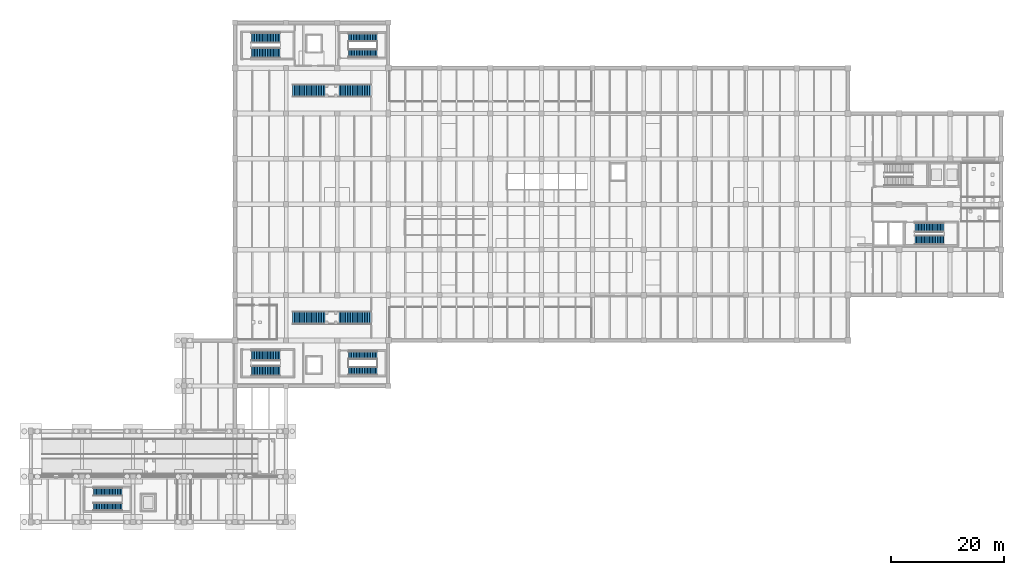
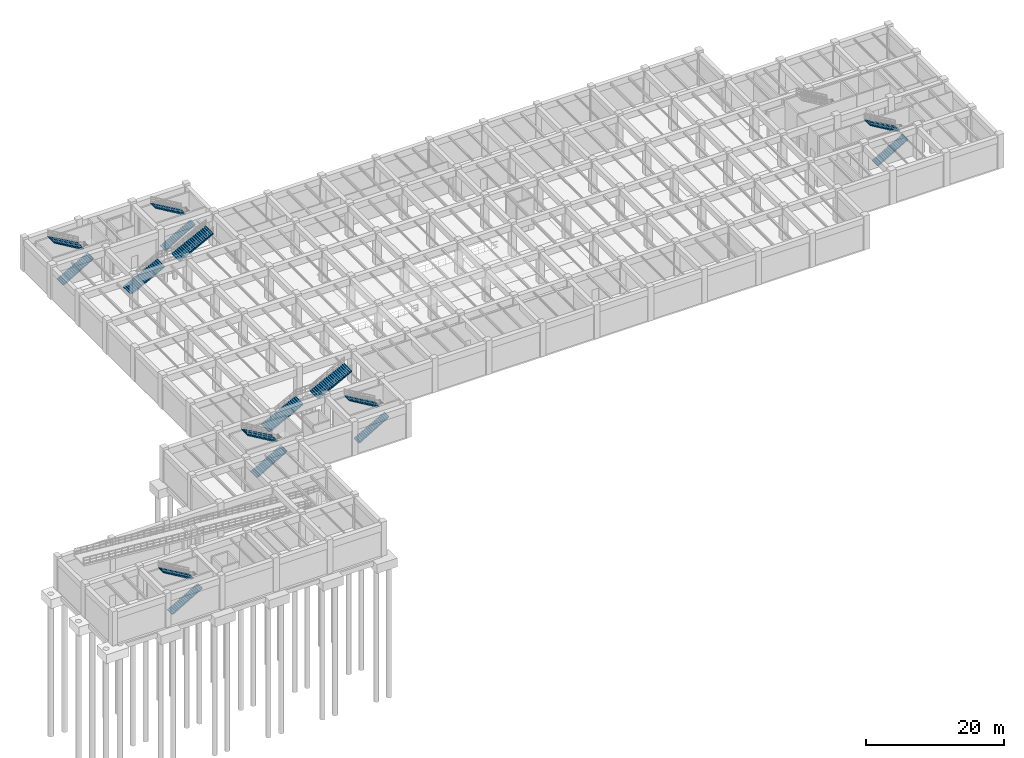
# One storey, part 13 of 20: 16 stair flights, 8 elements without a shape of their own.
"""IFC4 building model written with IfcOpenShell, lengths in metres."""

from ifc_helpers import new_model, si_unit, derived_unit, direction, frame, origin, place, context, subcontext, project, spatial, polyline, outline, extrude, material, type_object, element, aggregate, save


model = new_model("IFC4")

# Units and contexts
model_context = context("Model", 3, precision=1e-05, world=origin(), true_north=direction((0.0, 1.0)))
body_context = subcontext(model_context, "Body", "Model", "MODEL_VIEW")
ifc_project = project(units=[si_unit("LENGTHUNIT", "METRE"), si_unit("AREAUNIT", "SQUARE_METRE"), si_unit("VOLUMEUNIT", "CUBIC_METRE"), si_unit("PLANEANGLEUNIT", "RADIAN"), si_unit("MASSUNIT", "GRAM", prefix="KILO"), derived_unit("THERMALTRANSMITTANCEUNIT", [(si_unit("MASSUNIT", "GRAM", prefix="KILO"), 1), (si_unit("TIMEUNIT", "SECOND"), -3), (si_unit("THERMODYNAMICTEMPERATUREUNIT", "KELVIN"), -1)])], contexts=[model_context])

# Site, building, storey
site_placement = place(None, origin())
site = spatial("IfcSite", under=ifc_project, at=site_placement, CompositionType="ELEMENT")
building_placement = place(site_placement, origin())
building = spatial("IfcBuilding", under=site, at=building_placement, Name="Zhenchuan Archway Interchange", CompositionType="ELEMENT")
storey_placement = place(building_placement, frame((0.0, 0.0, -6.0)))
storey = spatial("IfcBuildingStorey", under=building, at=storey_placement, Name="B1", CompositionType="ELEMENT", Elevation=-6.0)

# Stair, stair flights
ifc_material = material(Name="Concrete C35", Category="concrete")
stair_type_1 = type_object("IfcStairType", Name="STR_HALF_1400", PredefinedType="HALF_TURN_STAIR", material=ifc_material)
stair_1_placement = place(storey_placement, origin())
stair_1 = element("IfcStair", 1, at=stair_1_placement, inside=storey, type_object=stair_type_1, Name="Stair ST-M3 (B1)", PredefinedType="HALF_TURN_STAIR")
stair_flight_type_1 = type_object("IfcStairFlightType", Name="SFL_1400_B", PredefinedType="STRAIGHT", material=ifc_material)
stair_flight_1_placement = place(storey_placement, frame((55.96435546875, 26.614990234375, 0.0), z_axis=(0.0, 0.0, 1.0), x_axis=(1.0, 0.0, 0.0)))
stair_flight_1 = element("IfcStairFlight", 2, at=stair_flight_1_placement, type_object=stair_flight_type_1, Name="Stair ST-M3 lower flight (B1)", NumberOfRisers=19, NumberOfTreads=18, PredefinedType="STRAIGHT", RiserHeight=0.157895, TreadLength=0.28, context=body_context, shape_type="SweptSolid", body=[
    extrude(outline(polyline([(0.0, 0.0), (0.0, 0.157958984375), (0.280029296875, 0.157958984375), (0.280029296875, 0.315673828125), (0.56005859375, 0.315673828125), (0.56005859375, 0.4736328125), (0.840087890625, 0.4736328125), (0.840087890625, 0.631591796875), (1.1201171875, 0.631591796875), (1.1201171875, 0.78955078125), (1.39990234375, 0.78955078125), (1.39990234375, 0.947265625), (1.679931640625, 0.947265625), (1.679931640625, 1.105224609375), (1.9599609375, 1.105224609375), (1.9599609375, 1.26318359375), (2.239990234375, 1.26318359375), (2.239990234375, 1.421142578125), (2.52001953125, 1.421142578125), (2.52001953125, 1.578857421875), (2.800048828125, 1.578857421875), (2.800048828125, 1.73681640625), (3.080078125, 1.73681640625), (3.080078125, 1.894775390625), (3.360107421875, 1.894775390625), (3.360107421875, 2.052734375), (3.639892578125, 2.052734375), (3.639892578125, 2.21044921875), (3.919921875, 2.21044921875), (3.919921875, 2.368408203125), (4.199951171875, 2.368408203125), (4.199951171875, 2.5263671875), (4.47998046875, 2.5263671875), (4.47998046875, 2.684326171875), (4.760009765625, 2.684326171875), (4.760009765625, 2.842041015625), (5.0400390625, 2.842041015625), (5.0400390625, 3.0), (5.061279296875, 3.0), (5.061279296875, 2.79345703125), (0.3662109375, 0.0), (0.0, 0.0)])), frame((0.0, 0.699951171875, 0.0), z_axis=(0.0, -1.0, 0.0), x_axis=(1.0, 0.0, 0.0)), (0.0, 0.0, 1.0), 1.39990234375),
])
stair_flight_2_placement = place(storey_placement, frame((61.025634765625, 29.385009765625, 3.0), z_axis=(0.0, 0.0, 1.0), x_axis=(-1.0, 0.0, 0.0)))
stair_flight_2 = element("IfcStairFlight", 3, at=stair_flight_2_placement, type_object=stair_flight_type_1, Name="Stair ST-M3 upper flight (B1)", NumberOfRisers=19, NumberOfTreads=18, PredefinedType="STRAIGHT", RiserHeight=0.157895, TreadLength=0.28, context=body_context, shape_type="SweptSolid", body=[
    extrude(outline(polyline([(0.0, 0.0), (0.0, 0.157958984375), (0.280029296875, 0.157958984375), (0.280029296875, 0.315673828125), (0.56005859375, 0.315673828125), (0.56005859375, 0.4736328125), (0.840087890625, 0.4736328125), (0.840087890625, 0.631591796875), (1.1201171875, 0.631591796875), (1.1201171875, 0.78955078125), (1.39990234375, 0.78955078125), (1.39990234375, 0.947265625), (1.679931640625, 0.947265625), (1.679931640625, 1.105224609375), (1.9599609375, 1.105224609375), (1.9599609375, 1.26318359375), (2.239990234375, 1.26318359375), (2.239990234375, 1.421142578125), (2.52001953125, 1.421142578125), (2.52001953125, 1.578857421875), (2.800048828125, 1.578857421875), (2.800048828125, 1.73681640625), (3.080078125, 1.73681640625), (3.080078125, 1.894775390625), (3.360107421875, 1.894775390625), (3.360107421875, 2.052734375), (3.639892578125, 2.052734375), (3.639892578125, 2.21044921875), (3.919921875, 2.21044921875), (3.919921875, 2.368408203125), (4.199951171875, 2.368408203125), (4.199951171875, 2.5263671875), (4.47998046875, 2.5263671875), (4.47998046875, 2.684326171875), (4.760009765625, 2.684326171875), (4.760009765625, 2.842041015625), (5.0400390625, 2.842041015625), (5.0400390625, 3.0), (5.061279296875, 3.0), (5.061279296875, 2.79345703125), (0.3662109375, 0.0), (0.0, 0.0)])), frame((0.0, 0.699951171875, 0.0), z_axis=(0.0, -1.0, 0.0), x_axis=(1.0, 0.0, 0.0)), (0.0, 0.0, 1.0), 1.39990234375),
])
aggregate(stair_1, [stair_flight_1, stair_flight_2])

stair_2_placement = place(storey_placement, origin())
stair_2 = element("IfcStair", 4, at=stair_2_placement, inside=storey, type_object=stair_type_1, Name="Stair ST-M4 (B1)", PredefinedType="HALF_TURN_STAIR")
stair_flight_3_placement = place(storey_placement, frame((55.96435546875, 82.614990234375, 0.0), z_axis=(0.0, 0.0, 1.0), x_axis=(1.0, 0.0, 0.0)))
stair_flight_3 = element("IfcStairFlight", 5, at=stair_flight_3_placement, type_object=stair_flight_type_1, Name="Stair ST-M4 lower flight (B1)", NumberOfRisers=19, NumberOfTreads=18, PredefinedType="STRAIGHT", RiserHeight=0.157895, TreadLength=0.28, context=body_context, shape_type="SweptSolid", body=[
    extrude(outline(polyline([(0.0, 0.0), (0.0, 0.157958984375), (0.280029296875, 0.157958984375), (0.280029296875, 0.315673828125), (0.56005859375, 0.315673828125), (0.56005859375, 0.4736328125), (0.840087890625, 0.4736328125), (0.840087890625, 0.631591796875), (1.1201171875, 0.631591796875), (1.1201171875, 0.78955078125), (1.39990234375, 0.78955078125), (1.39990234375, 0.947265625), (1.679931640625, 0.947265625), (1.679931640625, 1.105224609375), (1.9599609375, 1.105224609375), (1.9599609375, 1.26318359375), (2.239990234375, 1.26318359375), (2.239990234375, 1.421142578125), (2.52001953125, 1.421142578125), (2.52001953125, 1.578857421875), (2.800048828125, 1.578857421875), (2.800048828125, 1.73681640625), (3.080078125, 1.73681640625), (3.080078125, 1.894775390625), (3.360107421875, 1.894775390625), (3.360107421875, 2.052734375), (3.639892578125, 2.052734375), (3.639892578125, 2.21044921875), (3.919921875, 2.21044921875), (3.919921875, 2.368408203125), (4.199951171875, 2.368408203125), (4.199951171875, 2.5263671875), (4.47998046875, 2.5263671875), (4.47998046875, 2.684326171875), (4.760009765625, 2.684326171875), (4.760009765625, 2.842041015625), (5.0400390625, 2.842041015625), (5.0400390625, 3.0), (5.061279296875, 3.0), (5.061279296875, 2.79345703125), (0.3662109375, 0.0), (0.0, 0.0)])), frame((0.0, 0.699951171875, 0.0), z_axis=(0.0, -1.0, 0.0), x_axis=(1.0, 0.0, 0.0)), (0.0, 0.0, 1.0), 1.39990234375),
])
stair_flight_4_placement = place(storey_placement, frame((61.025634765625, 85.385009765625, 3.0), z_axis=(0.0, 0.0, 1.0), x_axis=(-1.0, 0.0, 0.0)))
stair_flight_4 = element("IfcStairFlight", 6, at=stair_flight_4_placement, type_object=stair_flight_type_1, Name="Stair ST-M4 upper flight (B1)", NumberOfRisers=19, NumberOfTreads=18, PredefinedType="STRAIGHT", RiserHeight=0.157895, TreadLength=0.28, context=body_context, shape_type="SweptSolid", body=[
    extrude(outline(polyline([(0.0, 0.0), (0.0, 0.157958984375), (0.280029296875, 0.157958984375), (0.280029296875, 0.315673828125), (0.56005859375, 0.315673828125), (0.56005859375, 0.4736328125), (0.840087890625, 0.4736328125), (0.840087890625, 0.631591796875), (1.1201171875, 0.631591796875), (1.1201171875, 0.78955078125), (1.39990234375, 0.78955078125), (1.39990234375, 0.947265625), (1.679931640625, 0.947265625), (1.679931640625, 1.105224609375), (1.9599609375, 1.105224609375), (1.9599609375, 1.26318359375), (2.239990234375, 1.26318359375), (2.239990234375, 1.421142578125), (2.52001953125, 1.421142578125), (2.52001953125, 1.578857421875), (2.800048828125, 1.578857421875), (2.800048828125, 1.73681640625), (3.080078125, 1.73681640625), (3.080078125, 1.894775390625), (3.360107421875, 1.894775390625), (3.360107421875, 2.052734375), (3.639892578125, 2.052734375), (3.639892578125, 2.21044921875), (3.919921875, 2.21044921875), (3.919921875, 2.368408203125), (4.199951171875, 2.368408203125), (4.199951171875, 2.5263671875), (4.47998046875, 2.5263671875), (4.47998046875, 2.684326171875), (4.760009765625, 2.684326171875), (4.760009765625, 2.842041015625), (5.0400390625, 2.842041015625), (5.0400390625, 3.0), (5.061279296875, 3.0), (5.061279296875, 2.79345703125), (0.3662109375, 0.0), (0.0, 0.0)])), frame((0.0, 0.699951171875, 0.0), z_axis=(0.0, -1.0, 0.0), x_axis=(1.0, 0.0, 0.0)), (0.0, 0.0, 1.0), 1.39990234375),
])
aggregate(stair_2, [stair_flight_3, stair_flight_4])

stair_3_placement = place(storey_placement, origin())
stair_3 = element("IfcStair", 7, at=stair_3_placement, inside=storey, type_object=stair_type_1, Name="Stair ST-C1 (B1)", PredefinedType="HALF_TURN_STAIR")
stair_flight_5_placement = place(storey_placement, frame((11.0244140625, 2.715087890625, 0.0), z_axis=(0.0, 0.0, 1.0), x_axis=(1.0, 0.0, 0.0)))
stair_flight_5 = element("IfcStairFlight", 8, at=stair_flight_5_placement, type_object=stair_flight_type_1, Name="Stair ST-C1 lower flight (B1)", NumberOfRisers=19, NumberOfTreads=18, PredefinedType="STRAIGHT", RiserHeight=0.157895, TreadLength=0.28, context=body_context, shape_type="SweptSolid", body=[
    extrude(outline(polyline([(0.0, 0.0), (0.0, 0.157958984375), (0.280029296875, 0.157958984375), (0.280029296875, 0.315673828125), (0.56005859375, 0.315673828125), (0.56005859375, 0.4736328125), (0.840087890625, 0.4736328125), (0.840087890625, 0.631591796875), (1.1201171875, 0.631591796875), (1.1201171875, 0.78955078125), (1.39990234375, 0.78955078125), (1.39990234375, 0.947265625), (1.679931640625, 0.947265625), (1.679931640625, 1.105224609375), (1.9599609375, 1.105224609375), (1.9599609375, 1.26318359375), (2.239990234375, 1.26318359375), (2.239990234375, 1.421142578125), (2.52001953125, 1.421142578125), (2.52001953125, 1.578857421875), (2.800048828125, 1.578857421875), (2.800048828125, 1.73681640625), (3.080078125, 1.73681640625), (3.080078125, 1.894775390625), (3.360107421875, 1.894775390625), (3.360107421875, 2.052734375), (3.639892578125, 2.052734375), (3.639892578125, 2.21044921875), (3.919921875, 2.21044921875), (3.919921875, 2.368408203125), (4.199951171875, 2.368408203125), (4.199951171875, 2.5263671875), (4.47998046875, 2.5263671875), (4.47998046875, 2.684326171875), (4.760009765625, 2.684326171875), (4.760009765625, 2.842041015625), (5.0400390625, 2.842041015625), (5.0400390625, 3.0), (5.061279296875, 3.0), (5.061279296875, 2.79345703125), (0.3662109375, 0.0), (0.0, 0.0)])), frame((0.0, 0.699951171875, 0.0), z_axis=(0.0, -1.0, 0.0), x_axis=(1.0, 0.0, 0.0)), (0.0, 0.0, 1.0), 1.39990234375),
])
stair_flight_6_placement = place(storey_placement, frame((16.085693359375, 5.284912109375, 3.0), z_axis=(0.0, 0.0, 1.0), x_axis=(-1.0, 0.0, 0.0)))
stair_flight_6 = element("IfcStairFlight", 9, at=stair_flight_6_placement, type_object=stair_flight_type_1, Name="Stair ST-C1 upper flight (B1)", NumberOfRisers=19, NumberOfTreads=18, PredefinedType="STRAIGHT", RiserHeight=0.157895, TreadLength=0.28, context=body_context, shape_type="SweptSolid", body=[
    extrude(outline(polyline([(0.0, 0.0), (0.0, 0.157958984375), (0.280029296875, 0.157958984375), (0.280029296875, 0.315673828125), (0.56005859375, 0.315673828125), (0.56005859375, 0.4736328125), (0.840087890625, 0.4736328125), (0.840087890625, 0.631591796875), (1.1201171875, 0.631591796875), (1.1201171875, 0.78955078125), (1.39990234375, 0.78955078125), (1.39990234375, 0.947265625), (1.679931640625, 0.947265625), (1.679931640625, 1.105224609375), (1.9599609375, 1.105224609375), (1.9599609375, 1.26318359375), (2.239990234375, 1.26318359375), (2.239990234375, 1.421142578125), (2.52001953125, 1.421142578125), (2.52001953125, 1.578857421875), (2.800048828125, 1.578857421875), (2.800048828125, 1.73681640625), (3.080078125, 1.73681640625), (3.080078125, 1.894775390625), (3.360107421875, 1.894775390625), (3.360107421875, 2.052734375), (3.639892578125, 2.052734375), (3.639892578125, 2.21044921875), (3.919921875, 2.21044921875), (3.919921875, 2.368408203125), (4.199951171875, 2.368408203125), (4.199951171875, 2.5263671875), (4.47998046875, 2.5263671875), (4.47998046875, 2.684326171875), (4.760009765625, 2.684326171875), (4.760009765625, 2.842041015625), (5.0400390625, 2.842041015625), (5.0400390625, 3.0), (5.061279296875, 3.0), (5.061279296875, 2.79345703125), (0.3662109375, 0.0), (0.0, 0.0)])), frame((0.0, 0.699951171875, 0.0), z_axis=(0.0, -1.0, 0.0), x_axis=(1.0, 0.0, 0.0)), (0.0, 0.0, 1.0), 1.39990234375),
])
aggregate(stair_3, [stair_flight_5, stair_flight_6])

stair_type_2 = type_object("IfcStairType", Name="STR_HALF_1600", PredefinedType="HALF_TURN_STAIR", material=ifc_material)
stair_4_placement = place(storey_placement, origin())
stair_4 = element("IfcStair", 10, at=stair_4_placement, inside=storey, type_object=stair_type_2, Name="Stair ST-O2 (B1)", PredefinedType="HALF_TURN_STAIR")
stair_flight_type_2 = type_object("IfcStairFlightType", Name="SFL_1600_B", PredefinedType="STRAIGHT", material=ifc_material)
stair_flight_7_placement = place(storey_placement, frame((155.824462890625, 49.715087890625, 0.0), z_axis=(0.0, 0.0, 1.0), x_axis=(1.0, 0.0, 0.0)))
stair_flight_7 = element("IfcStairFlight", 11, at=stair_flight_7_placement, type_object=stair_flight_type_2, Name="Stair ST-O2 lower flight (B1)", NumberOfRisers=19, NumberOfTreads=18, PredefinedType="STRAIGHT", RiserHeight=0.157895, TreadLength=0.28, context=body_context, shape_type="SweptSolid", body=[
    extrude(outline(polyline([(0.0, 0.0), (0.0, 0.157958984375), (0.280029296875, 0.157958984375), (0.280029296875, 0.315673828125), (0.56005859375, 0.315673828125), (0.56005859375, 0.4736328125), (0.840087890625, 0.4736328125), (0.840087890625, 0.631591796875), (1.1201171875, 0.631591796875), (1.1201171875, 0.78955078125), (1.39990234375, 0.78955078125), (1.39990234375, 0.947265625), (1.679931640625, 0.947265625), (1.679931640625, 1.105224609375), (1.9599609375, 1.105224609375), (1.9599609375, 1.26318359375), (2.239990234375, 1.26318359375), (2.239990234375, 1.421142578125), (2.52001953125, 1.421142578125), (2.52001953125, 1.578857421875), (2.800048828125, 1.578857421875), (2.800048828125, 1.73681640625), (3.080078125, 1.73681640625), (3.080078125, 1.894775390625), (3.360107421875, 1.894775390625), (3.360107421875, 2.052734375), (3.639892578125, 2.052734375), (3.639892578125, 2.21044921875), (3.919921875, 2.21044921875), (3.919921875, 2.368408203125), (4.199951171875, 2.368408203125), (4.199951171875, 2.5263671875), (4.47998046875, 2.5263671875), (4.47998046875, 2.684326171875), (4.760009765625, 2.684326171875), (4.760009765625, 2.842041015625), (5.0400390625, 2.842041015625), (5.0400390625, 3.0), (5.061279296875, 3.0), (5.061279296875, 2.79345703125), (0.3662109375, 0.0), (0.0, 0.0)])), frame((0.0, 0.800048828125, 0.0), z_axis=(0.0, -1.0, 0.0), x_axis=(1.0, 0.0, 0.0)), (0.0, 0.0, 1.0), 1.60009765625),
])
stair_flight_8_placement = place(storey_placement, frame((160.885498046875, 51.885009765625, 3.0), z_axis=(0.0, 0.0, 1.0), x_axis=(-1.0, 0.0, 0.0)))
stair_flight_8 = element("IfcStairFlight", 12, at=stair_flight_8_placement, type_object=stair_flight_type_2, Name="Stair ST-O2 upper flight (B1)", NumberOfRisers=19, NumberOfTreads=18, PredefinedType="STRAIGHT", RiserHeight=0.157895, TreadLength=0.28, context=body_context, shape_type="SweptSolid", body=[
    extrude(outline(polyline([(0.0, 0.0), (0.0, 0.157958984375), (0.280029296875, 0.157958984375), (0.280029296875, 0.315673828125), (0.56005859375, 0.315673828125), (0.56005859375, 0.4736328125), (0.840087890625, 0.4736328125), (0.840087890625, 0.631591796875), (1.1201171875, 0.631591796875), (1.1201171875, 0.78955078125), (1.39990234375, 0.78955078125), (1.39990234375, 0.947265625), (1.679931640625, 0.947265625), (1.679931640625, 1.105224609375), (1.9599609375, 1.105224609375), (1.9599609375, 1.26318359375), (2.239990234375, 1.26318359375), (2.239990234375, 1.421142578125), (2.52001953125, 1.421142578125), (2.52001953125, 1.578857421875), (2.800048828125, 1.578857421875), (2.800048828125, 1.73681640625), (3.080078125, 1.73681640625), (3.080078125, 1.894775390625), (3.360107421875, 1.894775390625), (3.360107421875, 2.052734375), (3.639892578125, 2.052734375), (3.639892578125, 2.21044921875), (3.919921875, 2.21044921875), (3.919921875, 2.368408203125), (4.199951171875, 2.368408203125), (4.199951171875, 2.5263671875), (4.47998046875, 2.5263671875), (4.47998046875, 2.684326171875), (4.760009765625, 2.684326171875), (4.760009765625, 2.842041015625), (5.0400390625, 2.842041015625), (5.0400390625, 3.0), (5.061279296875, 3.0), (5.061279296875, 2.79345703125), (0.3662109375, 0.0), (0.0, 0.0)])), frame((0.0, 0.800048828125, 0.0), z_axis=(0.0, -1.0, 0.0), x_axis=(1.0, 0.0, 0.0)), (0.0, 0.0, 1.0), 1.60009765625),
])
aggregate(stair_4, [stair_flight_7, stair_flight_8])

stair_type_3 = type_object("IfcStairType", Name="STR_HALF_1800", PredefinedType="HALF_TURN_STAIR", material=ifc_material)
stair_5_placement = place(storey_placement, origin())
stair_5 = element("IfcStair", 13, at=stair_5_placement, inside=storey, type_object=stair_type_3, Name="Stair ST-M1 (B1)", PredefinedType="HALF_TURN_STAIR")
stair_flight_type_3 = type_object("IfcStairFlightType", Name="SFL_1800_B", PredefinedType="STRAIGHT", material=ifc_material)
stair_flight_9_placement = place(storey_placement, frame((38.87451171875, 26.6650390625, 0.0), z_axis=(0.0, 0.0, 1.0), x_axis=(1.0, 0.0, 0.0)))
stair_flight_9 = element("IfcStairFlight", 14, at=stair_flight_9_placement, type_object=stair_flight_type_3, Name="Stair ST-M1 lower flight (B1)", NumberOfRisers=19, NumberOfTreads=18, PredefinedType="STRAIGHT", RiserHeight=0.157895, TreadLength=0.28, context=body_context, shape_type="SweptSolid", body=[
    extrude(outline(polyline([(0.0, 0.0), (0.0, 0.157958984375), (0.280029296875, 0.157958984375), (0.280029296875, 0.315673828125), (0.56005859375, 0.315673828125), (0.56005859375, 0.4736328125), (0.840087890625, 0.4736328125), (0.840087890625, 0.631591796875), (1.1201171875, 0.631591796875), (1.1201171875, 0.78955078125), (1.39990234375, 0.78955078125), (1.39990234375, 0.947265625), (1.679931640625, 0.947265625), (1.679931640625, 1.105224609375), (1.9599609375, 1.105224609375), (1.9599609375, 1.26318359375), (2.239990234375, 1.26318359375), (2.239990234375, 1.421142578125), (2.52001953125, 1.421142578125), (2.52001953125, 1.578857421875), (2.800048828125, 1.578857421875), (2.800048828125, 1.73681640625), (3.080078125, 1.73681640625), (3.080078125, 1.894775390625), (3.360107421875, 1.894775390625), (3.360107421875, 2.052734375), (3.639892578125, 2.052734375), (3.639892578125, 2.21044921875), (3.919921875, 2.21044921875), (3.919921875, 2.368408203125), (4.199951171875, 2.368408203125), (4.199951171875, 2.5263671875), (4.47998046875, 2.5263671875), (4.47998046875, 2.684326171875), (4.760009765625, 2.684326171875), (4.760009765625, 2.842041015625), (5.0400390625, 2.842041015625), (5.0400390625, 3.0), (5.061279296875, 3.0), (5.061279296875, 2.79345703125), (0.3662109375, 0.0), (0.0, 0.0)])), frame((0.0, 0.89990234375, 0.0), z_axis=(0.0, -1.0, 0.0), x_axis=(1.0, 0.0, 0.0)), (0.0, 0.0, 1.0), 1.800048828125),
])
stair_flight_10_placement = place(storey_placement, frame((43.935546875, 29.3349609375, 3.0), z_axis=(0.0, 0.0, 1.0), x_axis=(-1.0, 0.0, 0.0)))
stair_flight_10 = element("IfcStairFlight", 15, at=stair_flight_10_placement, type_object=stair_flight_type_3, Name="Stair ST-M1 upper flight (B1)", NumberOfRisers=19, NumberOfTreads=18, PredefinedType="STRAIGHT", RiserHeight=0.157895, TreadLength=0.28, context=body_context, shape_type="SweptSolid", body=[
    extrude(outline(polyline([(0.0, 0.0), (0.0, 0.157958984375), (0.280029296875, 0.157958984375), (0.280029296875, 0.315673828125), (0.56005859375, 0.315673828125), (0.56005859375, 0.4736328125), (0.840087890625, 0.4736328125), (0.840087890625, 0.631591796875), (1.1201171875, 0.631591796875), (1.1201171875, 0.78955078125), (1.39990234375, 0.78955078125), (1.39990234375, 0.947265625), (1.679931640625, 0.947265625), (1.679931640625, 1.105224609375), (1.9599609375, 1.105224609375), (1.9599609375, 1.26318359375), (2.239990234375, 1.26318359375), (2.239990234375, 1.421142578125), (2.52001953125, 1.421142578125), (2.52001953125, 1.578857421875), (2.800048828125, 1.578857421875), (2.800048828125, 1.73681640625), (3.080078125, 1.73681640625), (3.080078125, 1.894775390625), (3.360107421875, 1.894775390625), (3.360107421875, 2.052734375), (3.639892578125, 2.052734375), (3.639892578125, 2.21044921875), (3.919921875, 2.21044921875), (3.919921875, 2.368408203125), (4.199951171875, 2.368408203125), (4.199951171875, 2.5263671875), (4.47998046875, 2.5263671875), (4.47998046875, 2.684326171875), (4.760009765625, 2.684326171875), (4.760009765625, 2.842041015625), (5.0400390625, 2.842041015625), (5.0400390625, 3.0), (5.061279296875, 3.0), (5.061279296875, 2.79345703125), (0.3662109375, 0.0), (0.0, 0.0)])), frame((0.0, 0.89990234375, 0.0), z_axis=(0.0, -1.0, 0.0), x_axis=(1.0, 0.0, 0.0)), (0.0, 0.0, 1.0), 1.800048828125),
])
aggregate(stair_5, [stair_flight_9, stair_flight_10])

stair_6_placement = place(storey_placement, origin())
stair_6 = element("IfcStair", 16, at=stair_6_placement, inside=storey, type_object=stair_type_3, Name="Stair ST-M2 (B1)", PredefinedType="HALF_TURN_STAIR")
stair_flight_11_placement = place(storey_placement, frame((38.87451171875, 82.6650390625, 0.0), z_axis=(0.0, 0.0, 1.0), x_axis=(1.0, 0.0, 0.0)))
stair_flight_11 = element("IfcStairFlight", 17, at=stair_flight_11_placement, type_object=stair_flight_type_3, Name="Stair ST-M2 lower flight (B1)", NumberOfRisers=19, NumberOfTreads=18, PredefinedType="STRAIGHT", RiserHeight=0.157895, TreadLength=0.28, context=body_context, shape_type="SweptSolid", body=[
    extrude(outline(polyline([(0.0, 0.0), (0.0, 0.157958984375), (0.280029296875, 0.157958984375), (0.280029296875, 0.315673828125), (0.56005859375, 0.315673828125), (0.56005859375, 0.4736328125), (0.840087890625, 0.4736328125), (0.840087890625, 0.631591796875), (1.1201171875, 0.631591796875), (1.1201171875, 0.78955078125), (1.39990234375, 0.78955078125), (1.39990234375, 0.947265625), (1.679931640625, 0.947265625), (1.679931640625, 1.105224609375), (1.9599609375, 1.105224609375), (1.9599609375, 1.26318359375), (2.239990234375, 1.26318359375), (2.239990234375, 1.421142578125), (2.52001953125, 1.421142578125), (2.52001953125, 1.578857421875), (2.800048828125, 1.578857421875), (2.800048828125, 1.73681640625), (3.080078125, 1.73681640625), (3.080078125, 1.894775390625), (3.360107421875, 1.894775390625), (3.360107421875, 2.052734375), (3.639892578125, 2.052734375), (3.639892578125, 2.21044921875), (3.919921875, 2.21044921875), (3.919921875, 2.368408203125), (4.199951171875, 2.368408203125), (4.199951171875, 2.5263671875), (4.47998046875, 2.5263671875), (4.47998046875, 2.684326171875), (4.760009765625, 2.684326171875), (4.760009765625, 2.842041015625), (5.0400390625, 2.842041015625), (5.0400390625, 3.0), (5.061279296875, 3.0), (5.061279296875, 2.79345703125), (0.3662109375, 0.0), (0.0, 0.0)])), frame((0.0, 0.89990234375, 0.0), z_axis=(0.0, -1.0, 0.0), x_axis=(1.0, 0.0, 0.0)), (0.0, 0.0, 1.0), 1.800048828125),
])
stair_flight_12_placement = place(storey_placement, frame((43.935546875, 85.3349609375, 3.0), z_axis=(0.0, 0.0, 1.0), x_axis=(-1.0, 0.0, 0.0)))
stair_flight_12 = element("IfcStairFlight", 18, at=stair_flight_12_placement, type_object=stair_flight_type_3, Name="Stair ST-M2 upper flight (B1)", NumberOfRisers=19, NumberOfTreads=18, PredefinedType="STRAIGHT", RiserHeight=0.157895, TreadLength=0.28, context=body_context, shape_type="SweptSolid", body=[
    extrude(outline(polyline([(0.0, 0.0), (0.0, 0.157958984375), (0.280029296875, 0.157958984375), (0.280029296875, 0.315673828125), (0.56005859375, 0.315673828125), (0.56005859375, 0.4736328125), (0.840087890625, 0.4736328125), (0.840087890625, 0.631591796875), (1.1201171875, 0.631591796875), (1.1201171875, 0.78955078125), (1.39990234375, 0.78955078125), (1.39990234375, 0.947265625), (1.679931640625, 0.947265625), (1.679931640625, 1.105224609375), (1.9599609375, 1.105224609375), (1.9599609375, 1.26318359375), (2.239990234375, 1.26318359375), (2.239990234375, 1.421142578125), (2.52001953125, 1.421142578125), (2.52001953125, 1.578857421875), (2.800048828125, 1.578857421875), (2.800048828125, 1.73681640625), (3.080078125, 1.73681640625), (3.080078125, 1.894775390625), (3.360107421875, 1.894775390625), (3.360107421875, 2.052734375), (3.639892578125, 2.052734375), (3.639892578125, 2.21044921875), (3.919921875, 2.21044921875), (3.919921875, 2.368408203125), (4.199951171875, 2.368408203125), (4.199951171875, 2.5263671875), (4.47998046875, 2.5263671875), (4.47998046875, 2.684326171875), (4.760009765625, 2.684326171875), (4.760009765625, 2.842041015625), (5.0400390625, 2.842041015625), (5.0400390625, 3.0), (5.061279296875, 3.0), (5.061279296875, 2.79345703125), (0.3662109375, 0.0), (0.0, 0.0)])), frame((0.0, 0.89990234375, 0.0), z_axis=(0.0, -1.0, 0.0), x_axis=(1.0, 0.0, 0.0)), (0.0, 0.0, 1.0), 1.800048828125),
])
aggregate(stair_6, [stair_flight_11, stair_flight_12])

stair_type_4 = type_object("IfcStairType", Name="STR_MON_2200", PredefinedType="STRAIGHT_RUN_STAIR", material=ifc_material)
stair_7_placement = place(storey_placement, origin())
stair_7 = element("IfcStair", 19, at=stair_7_placement, inside=storey, type_object=stair_type_4, Name="Monumental public stair ST-P4", PredefinedType="STRAIGHT_RUN_STAIR")
stair_flight_type_4 = type_object("IfcStairFlightType", Name="SFL_MON_2200", PredefinedType="STRAIGHT", material=ifc_material)
stair_flight_13_placement = place(storey_placement, frame((46.159912109375, 76.0, 0.0), z_axis=(0.0, 0.0, 1.0), x_axis=(1.0, 0.0, 0.0)))
stair_flight_13 = element("IfcStairFlight", 20, at=stair_flight_13_placement, type_object=stair_flight_type_4, Name="Monumental stair ST-P4 lower flight", NumberOfRisers=20, NumberOfTreads=19, PredefinedType="STRAIGHT", RiserHeight=0.15, TreadLength=0.3, context=body_context, shape_type="SweptSolid", body=[
    extrude(outline(polyline([(0.0, 0.0), (0.0, 0.14990234375), (0.300048828125, 0.14990234375), (0.300048828125, 0.300048828125), (0.60009765625, 0.300048828125), (0.60009765625, 0.449951171875), (0.89990234375, 0.449951171875), (0.89990234375, 0.60009765625), (1.199951171875, 0.60009765625), (1.199951171875, 0.75), (1.5, 0.75), (1.5, 0.89990234375), (1.800048828125, 0.89990234375), (1.800048828125, 1.050048828125), (2.10009765625, 1.050048828125), (2.10009765625, 1.199951171875), (2.39990234375, 1.199951171875), (2.39990234375, 1.35009765625), (2.699951171875, 1.35009765625), (2.699951171875, 1.5), (3.0, 1.5), (3.0, 1.64990234375), (3.300048828125, 1.64990234375), (3.300048828125, 1.800048828125), (3.60009765625, 1.800048828125), (3.60009765625, 1.949951171875), (3.89990234375, 1.949951171875), (3.89990234375, 2.10009765625), (4.199951171875, 2.10009765625), (4.199951171875, 2.25), (4.5, 2.25), (4.5, 2.39990234375), (4.800048828125, 2.39990234375), (4.800048828125, 2.550048828125), (5.10009765625, 2.550048828125), (5.10009765625, 2.699951171875), (5.39990234375, 2.699951171875), (5.39990234375, 2.85009765625), (5.699951171875, 2.85009765625), (5.699951171875, 3.0), (5.72119140625, 3.0), (5.72119140625, 2.754150390625), (0.491943359375, 0.0), (0.0, 0.0)])), frame((0.0, 1.10009765625, 0.0), z_axis=(0.0, -1.0, 0.0), x_axis=(1.0, 0.0, 0.0)), (0.0, 0.0, 1.0), 2.199951171875),
])
stair_flight_14_placement = place(storey_placement, frame((54.279296875, 76.0, 3.0), z_axis=(0.0, 0.0, 1.0), x_axis=(1.0, 0.0, 0.0)))
stair_flight_14 = element("IfcStairFlight", 21, at=stair_flight_14_placement, type_object=stair_flight_type_4, Name="Monumental stair ST-P4 upper flight", NumberOfRisers=20, NumberOfTreads=19, PredefinedType="STRAIGHT", RiserHeight=0.15, TreadLength=0.3, context=body_context, shape_type="SweptSolid", body=[
    extrude(outline(polyline([(0.0, 0.0), (0.0, 0.14990234375), (0.300048828125, 0.14990234375), (0.300048828125, 0.300048828125), (0.60009765625, 0.300048828125), (0.60009765625, 0.449951171875), (0.89990234375, 0.449951171875), (0.89990234375, 0.60009765625), (1.199951171875, 0.60009765625), (1.199951171875, 0.75), (1.5, 0.75), (1.5, 0.89990234375), (1.800048828125, 0.89990234375), (1.800048828125, 1.050048828125), (2.10009765625, 1.050048828125), (2.10009765625, 1.199951171875), (2.39990234375, 1.199951171875), (2.39990234375, 1.35009765625), (2.699951171875, 1.35009765625), (2.699951171875, 1.5), (3.0, 1.5), (3.0, 1.64990234375), (3.300048828125, 1.64990234375), (3.300048828125, 1.800048828125), (3.60009765625, 1.800048828125), (3.60009765625, 1.949951171875), (3.89990234375, 1.949951171875), (3.89990234375, 2.10009765625), (4.199951171875, 2.10009765625), (4.199951171875, 2.25), (4.5, 2.25), (4.5, 2.39990234375), (4.800048828125, 2.39990234375), (4.800048828125, 2.550048828125), (5.10009765625, 2.550048828125), (5.10009765625, 2.699951171875), (5.39990234375, 2.699951171875), (5.39990234375, 2.85009765625), (5.699951171875, 2.85009765625), (5.699951171875, 3.0), (5.72119140625, 3.0), (5.72119140625, 2.754150390625), (0.491943359375, 0.0), (0.0, 0.0)])), frame((0.0, 1.10009765625, 0.0), z_axis=(0.0, -1.0, 0.0), x_axis=(1.0, 0.0, 0.0)), (0.0, 0.0, 1.0), 2.199951171875),
])
aggregate(stair_7, [stair_flight_13, stair_flight_14])

stair_type_5 = type_object("IfcStairType", Name="STR_MON_2250", PredefinedType="STRAIGHT_RUN_STAIR", material=ifc_material)
stair_8_placement = place(storey_placement, origin())
stair_8 = element("IfcStair", 22, at=stair_8_placement, inside=storey, type_object=stair_type_5, Name="Monumental public stair ST-P3", PredefinedType="STRAIGHT_RUN_STAIR")
stair_flight_type_5 = type_object("IfcStairFlightType", Name="SFL_MON_2250", PredefinedType="STRAIGHT", material=ifc_material)
stair_flight_15_placement = place(storey_placement, frame((46.159912109375, 36.0, 0.0), z_axis=(0.0, 0.0, 1.0), x_axis=(1.0, 0.0, 0.0)))
stair_flight_15 = element("IfcStairFlight", 23, at=stair_flight_15_placement, type_object=stair_flight_type_5, Name="Monumental stair ST-P3 lower flight", NumberOfRisers=20, NumberOfTreads=19, PredefinedType="STRAIGHT", RiserHeight=0.15, TreadLength=0.3, context=body_context, shape_type="SweptSolid", body=[
    extrude(outline(polyline([(0.0, 0.0), (0.0, 0.14990234375), (0.300048828125, 0.14990234375), (0.300048828125, 0.300048828125), (0.60009765625, 0.300048828125), (0.60009765625, 0.449951171875), (0.89990234375, 0.449951171875), (0.89990234375, 0.60009765625), (1.199951171875, 0.60009765625), (1.199951171875, 0.75), (1.5, 0.75), (1.5, 0.89990234375), (1.800048828125, 0.89990234375), (1.800048828125, 1.050048828125), (2.10009765625, 1.050048828125), (2.10009765625, 1.199951171875), (2.39990234375, 1.199951171875), (2.39990234375, 1.35009765625), (2.699951171875, 1.35009765625), (2.699951171875, 1.5), (3.0, 1.5), (3.0, 1.64990234375), (3.300048828125, 1.64990234375), (3.300048828125, 1.800048828125), (3.60009765625, 1.800048828125), (3.60009765625, 1.949951171875), (3.89990234375, 1.949951171875), (3.89990234375, 2.10009765625), (4.199951171875, 2.10009765625), (4.199951171875, 2.25), (4.5, 2.25), (4.5, 2.39990234375), (4.800048828125, 2.39990234375), (4.800048828125, 2.550048828125), (5.10009765625, 2.550048828125), (5.10009765625, 2.699951171875), (5.39990234375, 2.699951171875), (5.39990234375, 2.85009765625), (5.699951171875, 2.85009765625), (5.699951171875, 3.0), (5.72119140625, 3.0), (5.72119140625, 2.754150390625), (0.491943359375, 0.0), (0.0, 0.0)])), frame((0.0, 1.125, 0.0), z_axis=(0.0, -1.0, 0.0), x_axis=(1.0, 0.0, 0.0)), (0.0, 0.0, 1.0), 2.25),
])
stair_flight_16_placement = place(storey_placement, frame((54.279296875, 36.0, 3.0), z_axis=(0.0, 0.0, 1.0), x_axis=(1.0, 0.0, 0.0)))
stair_flight_16 = element("IfcStairFlight", 24, at=stair_flight_16_placement, type_object=stair_flight_type_5, Name="Monumental stair ST-P3 upper flight", NumberOfRisers=20, NumberOfTreads=19, PredefinedType="STRAIGHT", RiserHeight=0.15, TreadLength=0.3, context=body_context, shape_type="SweptSolid", body=[
    extrude(outline(polyline([(0.0, 0.0), (0.0, 0.14990234375), (0.300048828125, 0.14990234375), (0.300048828125, 0.300048828125), (0.60009765625, 0.300048828125), (0.60009765625, 0.449951171875), (0.89990234375, 0.449951171875), (0.89990234375, 0.60009765625), (1.199951171875, 0.60009765625), (1.199951171875, 0.75), (1.5, 0.75), (1.5, 0.89990234375), (1.800048828125, 0.89990234375), (1.800048828125, 1.050048828125), (2.10009765625, 1.050048828125), (2.10009765625, 1.199951171875), (2.39990234375, 1.199951171875), (2.39990234375, 1.35009765625), (2.699951171875, 1.35009765625), (2.699951171875, 1.5), (3.0, 1.5), (3.0, 1.64990234375), (3.300048828125, 1.64990234375), (3.300048828125, 1.800048828125), (3.60009765625, 1.800048828125), (3.60009765625, 1.949951171875), (3.89990234375, 1.949951171875), (3.89990234375, 2.10009765625), (4.199951171875, 2.10009765625), (4.199951171875, 2.25), (4.5, 2.25), (4.5, 2.39990234375), (4.800048828125, 2.39990234375), (4.800048828125, 2.550048828125), (5.10009765625, 2.550048828125), (5.10009765625, 2.699951171875), (5.39990234375, 2.699951171875), (5.39990234375, 2.85009765625), (5.699951171875, 2.85009765625), (5.699951171875, 3.0), (5.72119140625, 3.0), (5.72119140625, 2.754150390625), (0.491943359375, 0.0), (0.0, 0.0)])), frame((0.0, 1.125, 0.0), z_axis=(0.0, -1.0, 0.0), x_axis=(1.0, 0.0, 0.0)), (0.0, 0.0, 1.0), 2.25),
])
aggregate(stair_8, [stair_flight_15, stair_flight_16])

save(model, "model.ifc")
